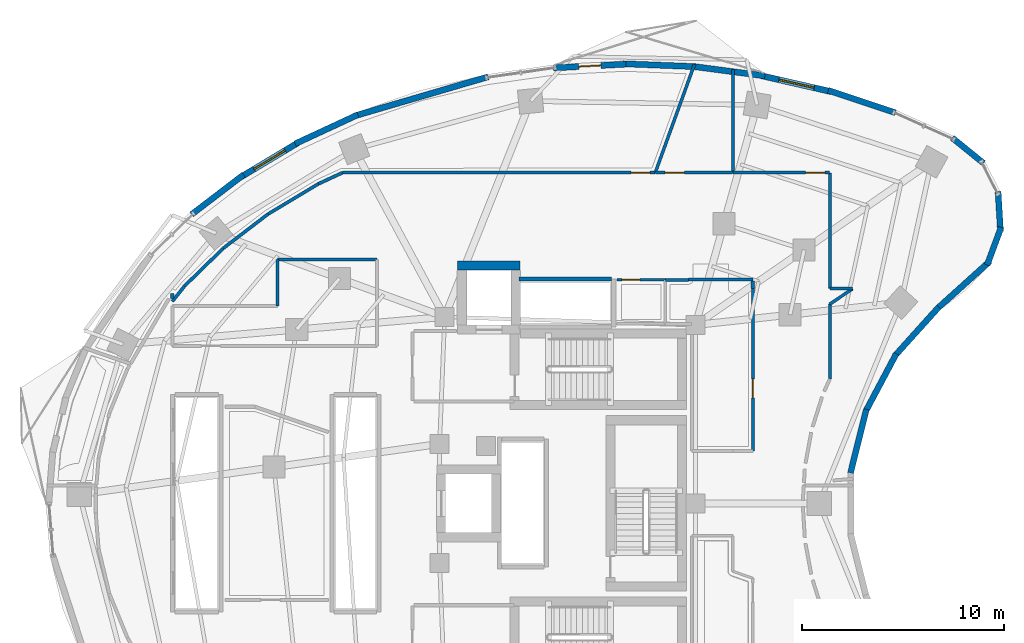
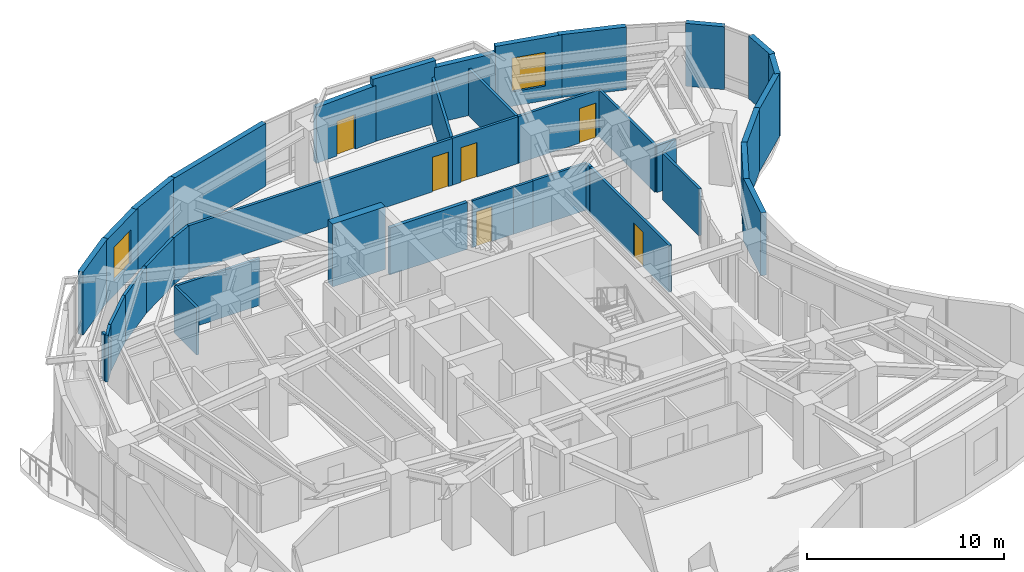
# One storey, part 11 of 15: 40 walls, 6 doors, 2 windows, 8 openings.
"""IFC4 building model written with IfcOpenShell, lengths in metres."""

from ifc_helpers import new_model, si_unit, direction, frame, frame_2d, origin, place, context, subcontext, project, spatial, rectangle, extrude, material, layer, layer_set, type_object, element, fill, save


model = new_model("IFC4")

# Units and contexts
model_context = context("Model", 3, precision=1e-05, world=origin(), true_north=direction((0.0, 1.0)))
body_context = subcontext(model_context, "Body", "Model", "MODEL_VIEW")
ifc_project = project(units=[si_unit("LENGTHUNIT", "METRE"), si_unit("AREAUNIT", "SQUARE_METRE"), si_unit("VOLUMEUNIT", "CUBIC_METRE"), si_unit("PLANEANGLEUNIT", "RADIAN"), si_unit("MASSUNIT", "GRAM", prefix="KILO")], contexts=[model_context])

# Site, building, storey
site_placement = place(None, origin())
site = spatial("IfcSite", under=ifc_project, at=site_placement, CompositionType="ELEMENT")
building_placement = place(site_placement, origin())
building = spatial("IfcBuilding", under=site, at=building_placement, Name="Korentha Bioscience Tower", CompositionType="ELEMENT")
storey_placement = place(building_placement, frame((0.0, 0.0, 127.800048828125)))
storey = spatial("IfcBuildingStorey", under=building, at=storey_placement, Name="L29", CompositionType="ELEMENT", Elevation=127.800048828125)

# Wall, opening, door
ifc_material_1 = material(Name="Double-Stud Acoustic Gypsum", Category="gypsum")
ifc_layer_1 = layer(ifc_material_1, 0.14990234375, Name="Double-Stud Acoustic Gypsum")
ifc_layer_set_1 = layer_set([ifc_layer_1], Name="Double-Stud Acoustic Gypsum (IW-L150)")
wall_type_1 = type_object("IfcWallType", Name="Acoustic Laboratory Partition Wall 150", PredefinedType="PARTITIONING", material=ifc_layer_set_1)
wall_1_placement = place(storey_placement, frame((44.199951171875, 43.409912109375, 0.0), z_axis=(0.0, 0.0, 1.0), x_axis=(-1.0, 0.0, 0.0)))
wall_1 = element("IfcWall", 1, at=wall_1_placement, inside=storey, type_object=wall_type_1, Name="L29 Patent and Regulatory Affairs Office 06 Entrance Wall", PredefinedType="PARTITIONING", context=body_context, shape_type="SweptSolid", body=[
    extrude(rectangle(XDim=4.7978515625, YDim=0.14990234375, at=frame_2d((2.39892578125, 0.0))), origin(), (0.0, 0.0, 1.0), 2.909912109375),
])
opening_1_placement = place(wall_1_placement, frame((0.239990234375, 0.0, 0.0)))
opening_1 = element("IfcOpeningElement", 2, at=opening_1_placement, cuts=wall_1, Name="Opening ID-10L", PredefinedType="OPENING", context=body_context, shape_type="SweptSolid", body=[
    extrude(rectangle(XDim=0.949951171875, YDim=2.14990234375, at=frame_2d((0.47509765625, 1.074951171875))), frame((0.0, 0.08984375, 0.0), z_axis=(0.0, -1.0, 0.0), x_axis=(1.0, 0.0, 0.0)), (0.0, 0.0, 1.0), 0.1796875),
])
ifc_material_2 = material(Name="Phenolic Laminate Timber Core", Category="wood")
door_type_1 = type_object("IfcDoorType", Name="Laboratory Single Leaf Door 950x2150 Left", OperationType="SINGLE_SWING_LEFT", PredefinedType="DOOR", material=ifc_material_2)
door_1_placement = place(opening_1_placement, origin())
door_1 = element("IfcDoor", 3, at=door_1_placement, inside=storey, type_object=door_type_1, Name="L29 Patent and Regulatory Affairs Office 06 Door", OperationType="SINGLE_SWING_LEFT", OverallHeight=2.14990234375, OverallWidth=0.949951171875, PredefinedType="DOOR", context=body_context, shape_type="SweptSolid", body=[
    extrude(rectangle(XDim=0.949951171875, YDim=2.14990234375, at=frame_2d((0.47509765625, 1.074951171875))), frame((0.0, 0.02490234375, 0.0), z_axis=(0.0, -1.0, 0.0), x_axis=(1.0, 0.0, 0.0)), (0.0, 0.0, 1.0), 0.050048828125),
])
fill(opening_1, door_1)

wall_2_placement = place(storey_placement, frame((40.389892578125, 37.64794921875, 0.0), z_axis=(0.0, 0.0, 1.0), x_axis=(0.0, -1.0, 0.0)))
wall_2 = element("IfcWall", 4, at=wall_2_placement, inside=storey, type_object=wall_type_1, Name="L29 Ethics and Biosafety Briefing Room 07 Entrance Wall", PredefinedType="PARTITIONING", context=body_context, shape_type="SweptSolid", body=[
    extrude(rectangle(XDim=8.0458984375, YDim=0.14990234375, at=frame_2d((4.02294921875, 0.0))), origin(), (0.0, 0.0, 1.0), 2.909912109375),
])
opening_2_placement = place(wall_2_placement, frame((4.466796875, 0.0, 0.0)))
opening_2 = element("IfcOpeningElement", 5, at=opening_2_placement, cuts=wall_2, Name="Opening ID-10R", PredefinedType="OPENING", context=body_context, shape_type="SweptSolid", body=[
    extrude(rectangle(XDim=0.949951171875, YDim=2.14990234375, at=frame_2d((0.47509765625, 1.074951171875))), frame((0.0, 0.08984375, 0.0), z_axis=(0.0, -1.0, 0.0), x_axis=(1.0, 0.0, 0.0)), (0.0, 0.0, 1.0), 0.1796875),
])
door_type_2 = type_object("IfcDoorType", Name="Laboratory Single Leaf Door 950x2150 Right", OperationType="SINGLE_SWING_RIGHT", PredefinedType="DOOR", material=ifc_material_2)
door_2_placement = place(opening_2_placement, origin())
door_2 = element("IfcDoor", 6, at=door_2_placement, inside=storey, type_object=door_type_2, Name="L29 Ethics and Biosafety Briefing Room 07 Door", OperationType="SINGLE_SWING_RIGHT", OverallHeight=2.14990234375, OverallWidth=0.949951171875, PredefinedType="DOOR", context=body_context, shape_type="SweptSolid", body=[
    extrude(rectangle(XDim=0.949951171875, YDim=2.14990234375, at=frame_2d((0.47509765625, 1.074951171875))), frame((0.0, 0.02490234375, 0.0), z_axis=(0.0, -1.0, 0.0), x_axis=(1.0, 0.0, 0.0)), (0.0, 0.0, 1.0), 0.050048828125),
])
fill(opening_2, door_2)

wall_3_placement = place(storey_placement, frame((39.39208984375, 43.409912109375, 0.0), z_axis=(0.0, 0.0, 1.0), x_axis=(-1.0, 0.0, 0.0)))
wall_3 = element("IfcWall", 7, at=wall_3_placement, inside=storey, type_object=wall_type_1, Name="L29 Terrace View Refreshment Lounge 08 Entrance Wall", PredefinedType="PARTITIONING", context=body_context, shape_type="SweptSolid", body=[
    extrude(rectangle(XDim=3.841796875, YDim=0.14990234375, at=frame_2d((1.9208984375, 0.0))), origin(), (0.0, 0.0, 1.0), 2.909912109375),
])
opening_3_placement = place(wall_3_placement, frame((2.402099609375, 0.0, 0.0)))
opening_3 = element("IfcOpeningElement", 8, at=opening_3_placement, cuts=wall_3, Name="Opening ID-10L", PredefinedType="OPENING", context=body_context, shape_type="SweptSolid", body=[
    extrude(rectangle(XDim=0.949951171875, YDim=2.14990234375, at=frame_2d((0.47509765625, 1.074951171875))), frame((0.0, 0.08984375, 0.0), z_axis=(0.0, -1.0, 0.0), x_axis=(1.0, 0.0, 0.0)), (0.0, 0.0, 1.0), 0.1796875),
])
door_3_placement = place(opening_3_placement, origin())
door_3 = element("IfcDoor", 9, at=door_3_placement, inside=storey, type_object=door_type_1, Name="L29 Terrace View Refreshment Lounge 08 Door", OperationType="SINGLE_SWING_LEFT", OverallHeight=2.14990234375, OverallWidth=0.949951171875, PredefinedType="DOOR", context=body_context, shape_type="SweptSolid", body=[
    extrude(rectangle(XDim=0.949951171875, YDim=2.14990234375, at=frame_2d((0.47509765625, 1.074951171875))), frame((0.0, 0.02490234375, 0.0), z_axis=(0.0, -1.0, 0.0), x_axis=(1.0, 0.0, 0.0)), (0.0, 0.0, 1.0), 0.050048828125),
])
fill(opening_3, door_3)

# Walls
wall_4_placement = place(storey_placement, frame((44.2099609375, 33.175048828125, 0.0), z_axis=(0.0, 0.0, 1.0), x_axis=(0.0, 1.0, 0.0)))
element("IfcWall", 10, at=wall_4_placement, inside=storey, type_object=wall_type_1, Name="L29 Interior Partition 063", PredefinedType="PARTITIONING", context=body_context, shape_type="SweptSolid", body=[
    extrude(rectangle(XDim=3.708984375, YDim=0.14990234375, at=frame_2d((1.8544921875, 0.0))), origin(), (0.0, 0.0, 1.0), 2.909912109375),
])
wall_5_placement = place(storey_placement, frame((44.2099609375, 36.884033203125, 0.0), z_axis=(0.0, 0.0, 1.0), x_axis=(0.828042645571, 0.560665120295, 0.0)))
element("IfcWall", 11, at=wall_5_placement, inside=storey, type_object=wall_type_1, Name="L29 Interior Partition 064", PredefinedType="PARTITIONING", context=body_context, shape_type="SweptSolid", body=[
    extrude(rectangle(XDim=1.35693359375, YDim=0.14990234375, at=frame_2d((0.678466796875, 0.0))), origin(), (0.0, 0.0, 1.0), 2.909912109375),
])
wall_6_placement = place(storey_placement, frame((45.331298828125, 37.652099609375, 0.0), z_axis=(0.0, 0.0, 1.0), x_axis=(-1.0, 0.0, 0.0)))
element("IfcWall", 12, at=wall_6_placement, inside=storey, type_object=wall_type_1, Name="L29 Interior Partition 065", PredefinedType="PARTITIONING", context=body_context, shape_type="SweptSolid", body=[
    extrude(rectangle(XDim=1.121337890625, YDim=0.14990234375, at=frame_2d((0.560546875, 0.0))), origin(), (0.0, 0.0, 1.0), 2.909912109375),
])
wall_7_placement = place(storey_placement, frame((44.2099609375, 37.652099609375, 0.0), z_axis=(0.0, 0.0, 1.0), x_axis=(0.0, 1.0, 0.0)))
element("IfcWall", 13, at=wall_7_placement, inside=storey, type_object=wall_type_1, Name="L29 Interior Partition 066", PredefinedType="PARTITIONING", context=body_context, shape_type="SweptSolid", body=[
    extrude(rectangle(XDim=5.747802734375, YDim=0.14990234375, at=frame_2d((2.8740234375, 0.0))), origin(), (0.0, 0.0, 1.0), 2.909912109375),
])
wall_8_placement = place(storey_placement, frame((39.402099609375, 43.409912109375, 0.0), z_axis=(0.0, 0.0, 1.0), x_axis=(0.0, 1.0, 0.0)))
element("IfcWall", 14, at=wall_8_placement, inside=storey, type_object=wall_type_1, Name="L29 Interior Partition 067", PredefinedType="PARTITIONING", context=body_context, shape_type="SweptSolid", body=[
    extrude(rectangle(XDim=5.12548828125, YDim=0.14990234375, at=frame_2d((2.562744140625, 0.0))), origin(), (0.0, 0.0, 1.0), 2.909912109375),
])
wall_9_placement = place(storey_placement, frame((36.06005859375, 38.090087890625, 0.0), z_axis=(0.0, 0.0, 1.0), x_axis=(1.0, 0.0, 0.0)))
element("IfcWall", 15, at=wall_9_placement, inside=storey, type_object=wall_type_1, Name="L29 Interior Partition 073", PredefinedType="PARTITIONING", context=body_context, shape_type="SweptSolid", body=[
    extrude(rectangle(XDim=1.139892578125, YDim=0.14990234375, at=frame_2d((0.56982421875, 0.0))), origin(), (0.0, 0.0, 1.0), 2.909912109375),
])
wall_10_placement = place(storey_placement, frame((37.2099609375, 38.10009765625, 0.0), z_axis=(0.0, 0.0, 1.0), x_axis=(1.0, 0.0, 0.0)))
element("IfcWall", 16, at=wall_10_placement, inside=storey, type_object=wall_type_1, Name="L29 Interior Partition 075", PredefinedType="PARTITIONING", context=body_context, shape_type="SweptSolid", body=[
    extrude(rectangle(XDim=3.176025390625, YDim=0.14990234375, at=frame_2d((1.587890625, 0.0))), origin(), (0.0, 0.0, 1.0), 2.909912109375),
])
wall_11_placement = place(storey_placement, frame((40.385986328125, 38.02197265625, 0.0), z_axis=(0.0, 0.0, 1.0), x_axis=(0.0, -1.0, 0.0)))
element("IfcWall", 17, at=wall_11_placement, inside=storey, type_object=wall_type_1, Name="L29 Interior Partition 076", PredefinedType="PARTITIONING", context=body_context, shape_type="SweptSolid", body=[
    extrude(rectangle(XDim=0.369873046875, YDim=0.14990234375, at=frame_2d((0.18505859375, 0.0))), origin(), (0.0, 0.0, 1.0), 2.909912109375),
])
wall_12_placement = place(storey_placement, frame((35.55029296875, 43.409912109375, 0.0), z_axis=(0.0, 0.0, 1.0), x_axis=(0.340351757169, 0.940298187487, 0.0)))
element("IfcWall", 18, at=wall_12_placement, inside=storey, type_object=wall_type_1, Name="L29 Interior Partition 077", PredefinedType="PARTITIONING", context=body_context, shape_type="SweptSolid", body=[
    extrude(rectangle(XDim=5.707763671875, YDim=0.14990234375, at=frame_2d((2.85400390625, 0.0))), origin(), (0.0, 0.0, 1.0), 2.909912109375),
])
wall_13_placement = place(storey_placement, frame((16.81005859375, 36.800048828125, 0.0), z_axis=(0.0, 0.0, 1.0), x_axis=(0.0, 1.0, 0.0)))
element("IfcWall", 19, at=wall_13_placement, inside=storey, type_object=wall_type_1, Name="L29 Interior Partition 086", PredefinedType="PARTITIONING", context=body_context, shape_type="SweptSolid", body=[
    extrude(rectangle(XDim=2.2900390625, YDim=0.14990234375, at=frame_2d((1.14501953125, 0.0))), origin(), (0.0, 0.0, 1.0), 2.909912109375),
])
wall_14_placement = place(storey_placement, frame((16.81005859375, 39.090087890625, 0.0), z_axis=(0.0, 0.0, 1.0), x_axis=(1.0, 0.0, 0.0)))
element("IfcWall", 20, at=wall_14_placement, inside=storey, type_object=wall_type_1, Name="L29 Interior Partition 087", PredefinedType="PARTITIONING", context=body_context, shape_type="SweptSolid", body=[
    extrude(rectangle(XDim=4.929931640625, YDim=0.14990234375, at=frame_2d((2.46484375, 0.0))), origin(), (0.0, 0.0, 1.0), 2.909912109375),
])

# Wall, opening, door
ifc_material_3 = material(Name="Gypsum-Clad Steel Stud", Category="steel")
ifc_layer_2 = layer(ifc_material_3, 0.159912109375, Name="Gypsum-Clad Steel Stud")
ifc_layer_set_2 = layer_set([ifc_layer_2], Name="Gypsum-Clad Steel Stud (IW-C160)")
wall_type_2 = type_object("IfcWallType", Name="Fire-Rated Corridor Partition Wall 160", PredefinedType="PARTITIONING", material=ifc_layer_set_2)
wall_15_placement = place(storey_placement, frame((35.540283203125, 43.409912109375, 0.0), z_axis=(0.0, 0.0, 1.0), x_axis=(-1.0, 0.0, 0.0)))
wall_15 = element("IfcWall", 21, at=wall_15_placement, inside=storey, type_object=wall_type_2, Name="L29 Instrument Calibration Workshop 09 Entrance Wall", PredefinedType="PARTITIONING", context=body_context, shape_type="SweptSolid", body=[
    extrude(rectangle(XDim=15.497802734375, YDim=0.159912109375, at=frame_2d((7.7490234375, 0.0))), origin(), (0.0, 0.0, 1.0), 2.909912109375),
])
opening_4_placement = place(wall_15_placement, frame((0.239990234375, 0.0, 0.0)))
opening_4 = element("IfcOpeningElement", 22, at=opening_4_placement, cuts=wall_15, Name="Opening ID-10R", PredefinedType="OPENING", context=body_context, shape_type="SweptSolid", body=[
    extrude(rectangle(XDim=0.949951171875, YDim=2.14990234375, at=frame_2d((0.47509765625, 1.074951171875))), frame((0.0, 0.0947265625, 0.0), z_axis=(0.0, -1.0, 0.0), x_axis=(1.0, 0.0, 0.0)), (0.0, 0.0, 1.0), 0.189697265625),
])
door_4_placement = place(opening_4_placement, origin())
door_4 = element("IfcDoor", 23, at=door_4_placement, inside=storey, type_object=door_type_2, Name="L29 Instrument Calibration Workshop 09 Door", OperationType="SINGLE_SWING_RIGHT", OverallHeight=2.14990234375, OverallWidth=0.949951171875, PredefinedType="DOOR", context=body_context, shape_type="SweptSolid", body=[
    extrude(rectangle(XDim=0.949951171875, YDim=2.14990234375, at=frame_2d((0.47509765625, 1.074951171875))), frame((0.0, 0.02490234375, 0.0), z_axis=(0.0, -1.0, 0.0), x_axis=(1.0, 0.0, 0.0)), (0.0, 0.0, 1.0), 0.050048828125),
])
fill(opening_4, door_4)

# Walls
wall_16_placement = place(storey_placement, frame((20.038330078125, 43.4091796875, 0.0), z_axis=(0.0, 0.0, 1.0), x_axis=(-0.907124862852, -0.420861596248, 0.0)))
element("IfcWall", 24, at=wall_16_placement, inside=storey, type_object=wall_type_2, Name="L29 Interior Partition 078", PredefinedType="PARTITIONING", context=body_context, shape_type="SweptSolid", body=[
    extrude(rectangle(XDim=1.321533203125, YDim=0.159912109375, at=frame_2d((0.66064453125, 0.0))), origin(), (0.0, 0.0, 1.0), 2.909912109375),
])
wall_17_placement = place(storey_placement, frame((18.838623046875, 42.8525390625, 0.0), z_axis=(0.0, 0.0, 1.0), x_axis=(-0.857603806023, -0.514310909757, 0.0)))
element("IfcWall", 25, at=wall_17_placement, inside=storey, type_object=wall_type_2, Name="L29 Interior Partition 079", PredefinedType="PARTITIONING", context=body_context, shape_type="SweptSolid", body=[
    extrude(rectangle(XDim=2.91357421875, YDim=0.159912109375, at=frame_2d((1.456787109375, 0.0))), origin(), (0.0, 0.0, 1.0), 2.909912109375),
])
wall_18_placement = place(storey_placement, frame((16.3388671875, 41.353515625, 0.0), z_axis=(0.0, 0.0, 1.0), x_axis=(-0.794513779695, -0.607246122981, 0.0)))
element("IfcWall", 26, at=wall_18_placement, inside=storey, type_object=wall_type_2, Name="L29 Interior Partition 080", PredefinedType="PARTITIONING", context=body_context, shape_type="SweptSolid", body=[
    extrude(rectangle(XDim=2.799072265625, YDim=0.159912109375, at=frame_2d((1.3994140625, 0.0))), origin(), (0.0, 0.0, 1.0), 2.909912109375),
])
wall_19_placement = place(storey_placement, frame((14.1142578125, 39.65283203125, 0.0), z_axis=(0.0, 0.0, 1.0), x_axis=(-0.716161838398, -0.697934252794, 0.0)))
element("IfcWall", 27, at=wall_19_placement, inside=storey, type_object=wall_type_2, Name="L29 Interior Partition 081", PredefinedType="PARTITIONING", context=body_context, shape_type="SweptSolid", body=[
    extrude(rectangle(XDim=2.6787109375, YDim=0.159912109375, at=frame_2d((1.33935546875, 0.0))), origin(), (0.0, 0.0, 1.0), 2.909912109375),
])
wall_20_placement = place(storey_placement, frame((12.195068359375, 37.781982421875, 0.0), z_axis=(0.0, 0.0, 1.0), x_axis=(-0.621081637991, -0.783745876513, 0.0)))
element("IfcWall", 28, at=wall_20_placement, inside=storey, type_object=wall_type_2, Name="L29 Interior Partition 082", PredefinedType="PARTITIONING", context=body_context, shape_type="SweptSolid", body=[
    extrude(rectangle(XDim=0.97412109375, YDim=0.159912109375, at=frame_2d((0.487060546875, 0.0))), origin(), (0.0, 0.0, 1.0), 2.909912109375),
])
wall_21_placement = place(storey_placement, frame((11.590087890625, 37.152099609375, 0.0), z_axis=(0.0, 0.0, 1.0), x_axis=(0.0, 1.0, 0.0)))
element("IfcWall", 29, at=wall_21_placement, inside=storey, type_object=wall_type_2, Name="L29 Interior Partition 083", PredefinedType="PARTITIONING", context=body_context, shape_type="SweptSolid", body=[
    extrude(rectangle(XDim=0.255859375, YDim=0.159912109375, at=frame_2d((0.1279296875, 0.0))), origin(), (0.0, 0.0, 1.0), 2.909912109375),
])

# Wall, opening, window
ifc_material_4 = material(Name="Honed Limestone Precast Concrete C40", Category="masonry")
ifc_layer_3 = layer(ifc_material_4, 0.300048828125, Name="Honed Limestone Precast Concrete C40")
ifc_layer_set_3 = layer_set([ifc_layer_3], Name="Honed Limestone Precast Concrete C40 (EW-ST300)")
wall_type_3 = type_object("IfcWallType", Name="Honed Limestone Cavity Spandrel Wall 300", PredefinedType="STANDARD", material=ifc_layer_set_3)
wall_22_placement = place(storey_placement, frame((44.277587890625, 47.42578125, 0.0), z_axis=(0.0, 0.0, 1.0), x_axis=(-0.974836214244, 0.222922307989, 0.0)))
wall_22 = element("IfcWall", 30, at=wall_22_placement, inside=storey, type_object=wall_type_3, Name="L29 Honed Limestone Spandrel Wall 03", PredefinedType="STANDARD", context=body_context, shape_type="SweptSolid", body=[
    extrude(rectangle(XDim=3.53515625, YDim=0.300048828125, at=frame_2d((1.767578125, 0.0))), origin(), (0.0, 0.0, 1.0), 3.89990234375),
])
opening_5_placement = place(wall_22_placement, frame((0.86767578125, 0.0, 0.89990234375)))
opening_5 = element("IfcOpeningElement", 31, at=opening_5_placement, cuts=wall_22, Name="Opening WN-01", PredefinedType="OPENING", context=body_context, shape_type="SweptSolid", body=[
    extrude(rectangle(XDim=1.800048828125, YDim=2.10009765625, at=frame_2d((0.89990234375, 1.050048828125))), frame((0.0, 0.1650390625, 0.0), z_axis=(0.0, -1.0, 0.0), x_axis=(1.0, 0.0, 0.0)), (0.0, 0.0, 1.0), 0.329833984375),
])
ifc_material_5 = material(Name="Thermally Broken Aluminium Triple Glazing", Category="aluminium")
window_type = type_object("IfcWindowType", Name="Triple-Glazed Fixed Bioscience Window 1800x2100", PartitioningType="SINGLE_PANEL", PredefinedType="WINDOW", material=ifc_material_5)
window_1_placement = place(opening_5_placement, origin())
window_1 = element("IfcWindow", 32, at=window_1_placement, inside=storey, type_object=window_type, Name="L29 Facade Window 03", OverallHeight=2.10009765625, OverallWidth=1.800048828125, PartitioningType="SINGLE_PANEL", PredefinedType="WINDOW", context=body_context, shape_type="SweptSolid", body=[
    extrude(rectangle(XDim=1.800048828125, YDim=2.10009765625, at=frame_2d((0.89990234375, 1.050048828125))), frame((0.0, 0.030029296875, 0.0), z_axis=(0.0, -1.0, 0.0), x_axis=(1.0, 0.0, 0.0)), (0.0, 0.0, 1.0), 0.06005859375),
])
fill(opening_5, window_1)

# Wall, opening, door
wall_23_placement = place(storey_placement, frame((34.095703125, 48.79052734375, 0.0), z_axis=(0.0, 0.0, 1.0), x_axis=(-0.998676861232, -0.051424963197, 0.0)))
wall_23 = element("IfcWall", 33, at=wall_23_placement, inside=storey, type_object=wall_type_3, Name="L29 Balcony Threshold Wall 01", PredefinedType="STANDARD", context=body_context, shape_type="SweptSolid", body=[
    extrude(rectangle(XDim=3.59375, YDim=0.300048828125, at=frame_2d((1.796875, 0.0))), origin(), (0.0, 0.0, 1.0), 3.469970703125),
])
opening_6_placement = place(wall_23_placement, frame((1.246826171875, 0.0, 0.0)))
opening_6 = element("IfcOpeningElement", 34, at=opening_6_placement, cuts=wall_23, Name="Opening BD-11L", PredefinedType="OPENING", context=body_context, shape_type="SweptSolid", body=[
    extrude(rectangle(XDim=1.10009765625, YDim=2.14990234375, at=frame_2d((0.550048828125, 1.074951171875))), frame((0.0, 0.1650390625, 0.0), z_axis=(0.0, -1.0, 0.0), x_axis=(1.0, 0.0, 0.0)), (0.0, 0.0, 1.0), 0.329833984375),
])
ifc_material_6 = material(Name="Thermally Broken Glazed Aluminium", Category="aluminium")
door_type_3 = type_object("IfcDoorType", Name="Balcony Terrace Glazed Door 1100x2150 Left", OperationType="SINGLE_SWING_LEFT", PredefinedType="DOOR", material=ifc_material_6)
door_5_placement = place(opening_6_placement, origin())
door_5 = element("IfcDoor", 35, at=door_5_placement, inside=storey, type_object=door_type_3, Name="L29 Balcony Access Door 01", OperationType="SINGLE_SWING_LEFT", OverallHeight=2.14990234375, OverallWidth=1.10009765625, PredefinedType="DOOR", context=body_context, shape_type="SweptSolid", body=[
    extrude(rectangle(XDim=1.10009765625, YDim=2.14990234375, at=frame_2d((0.550048828125, 1.074951171875))), frame((0.0, 0.02490234375, 0.0), z_axis=(0.0, -1.0, 0.0), x_axis=(1.0, 0.0, 0.0)), (0.0, 0.0, 1.0), 0.050048828125),
])
fill(opening_6, door_5)

# Wall, opening, window
wall_24_placement = place(storey_placement, frame((17.83349609375, 44.896728515625, 0.0), z_axis=(0.0, 0.0, 1.0), x_axis=(-0.85758429223, -0.514343447242, 0.0)))
wall_24 = element("IfcWall", 36, at=wall_24_placement, inside=storey, type_object=wall_type_3, Name="L29 Honed Limestone Spandrel Wall 11", PredefinedType="STANDARD", context=body_context, shape_type="SweptSolid", body=[
    extrude(rectangle(XDim=3.30029296875, YDim=0.300048828125, at=frame_2d((1.650146484375, 0.0))), origin(), (0.0, 0.0, 1.0), 3.89990234375),
])
opening_7_placement = place(wall_24_placement, frame((0.750244140625, 0.0, 0.89990234375)))
opening_7 = element("IfcOpeningElement", 37, at=opening_7_placement, cuts=wall_24, Name="Opening WN-01", PredefinedType="OPENING", context=body_context, shape_type="SweptSolid", body=[
    extrude(rectangle(XDim=1.800048828125, YDim=2.10009765625, at=frame_2d((0.89990234375, 1.050048828125))), frame((0.0, 0.1650390625, 0.0), z_axis=(0.0, -1.0, 0.0), x_axis=(1.0, 0.0, 0.0)), (0.0, 0.0, 1.0), 0.329833984375),
])
window_2_placement = place(opening_7_placement, origin())
window_2 = element("IfcWindow", 38, at=window_2_placement, inside=storey, type_object=window_type, Name="L29 Facade Window 11", OverallHeight=2.10009765625, OverallWidth=1.800048828125, PartitioningType="SINGLE_PANEL", PredefinedType="WINDOW", context=body_context, shape_type="SweptSolid", body=[
    extrude(rectangle(XDim=1.800048828125, YDim=2.10009765625, at=frame_2d((0.89990234375, 1.050048828125))), frame((0.0, 0.030029296875, 0.0), z_axis=(0.0, -1.0, 0.0), x_axis=(1.0, 0.0, 0.0)), (0.0, 0.0, 1.0), 0.06005859375),
])
fill(opening_7, window_2)

# Walls
wall_25_placement = place(storey_placement, frame((47.471435546875, 46.37841796875, 0.0), z_axis=(0.0, 0.0, 1.0), x_axis=(-0.948946814906, 0.315436114737, 0.0)))
element("IfcWall", 39, at=wall_25_placement, inside=storey, type_object=wall_type_3, Name="L29 Limestone Perimeter Closure Wall 02", PredefinedType="STANDARD", context=body_context, shape_type="SweptSolid", body=[
    extrude(rectangle(XDim=3.51611328125, YDim=0.300048828125, at=frame_2d((1.758056640625, 0.0))), origin(), (0.0, 0.0, 1.0), 3.89990234375),
])
wall_26_placement = place(storey_placement, frame((40.986572265625, 48.20703125, 0.0), z_axis=(0.0, 0.0, 1.0), x_axis=(-0.991372969521, 0.131071107816, 0.0)))
element("IfcWall", 40, at=wall_26_placement, inside=storey, type_object=wall_type_3, Name="L29 Limestone Perimeter Closure Wall 04", PredefinedType="STANDARD", context=body_context, shape_type="SweptSolid", body=[
    extrude(rectangle(XDim=3.615478515625, YDim=0.300048828125, at=frame_2d((1.8076171875, 0.0))), origin(), (0.0, 0.0, 1.0), 3.469970703125),
])
wall_27_placement = place(storey_placement, frame((37.574462890625, 48.666259765625, 0.0), z_axis=(0.0, 0.0, 1.0), x_axis=(-0.999212076676, 0.039689114679, 0.0)))
element("IfcWall", 41, at=wall_27_placement, inside=storey, type_object=wall_type_3, Name="L29 Limestone Perimeter Closure Wall 05", PredefinedType="STANDARD", context=body_context, shape_type="SweptSolid", body=[
    extrude(rectangle(XDim=3.635498046875, YDim=0.300048828125, at=frame_2d((1.81787109375, 0.0))), origin(), (0.0, 0.0, 1.0), 3.89990234375),
])
wall_28_placement = place(storey_placement, frame((27.258544921875, 48.163330078125, 0.0), z_axis=(0.0, 0.0, 1.0), x_axis=(-0.959706958999, -0.281002763064, 0.0)))
element("IfcWall", 42, at=wall_28_placement, inside=storey, type_object=wall_type_3, Name="L29 Limestone Perimeter Closure Wall 08", PredefinedType="STANDARD", context=body_context, shape_type="SweptSolid", body=[
    extrude(rectangle(XDim=6.907958984375, YDim=0.300048828125, at=frame_2d((3.4541015625, 0.0))), origin(), (0.0, 0.0, 1.0), 3.89990234375),
])
wall_29_placement = place(storey_placement, frame((20.7978515625, 46.28564453125, 0.0), z_axis=(0.0, 0.0, 1.0), x_axis=(-0.907166186263, -0.420772516333, 0.0)))
element("IfcWall", 43, at=wall_29_placement, inside=storey, type_object=wall_type_3, Name="L29 Limestone Perimeter Closure Wall 10", PredefinedType="STANDARD", context=body_context, shape_type="SweptSolid", body=[
    extrude(rectangle(XDim=3.43017578125, YDim=0.300048828125, at=frame_2d((1.715087890625, 0.0))), origin(), (0.0, 0.0, 1.0), 3.89990234375),
])
wall_30_placement = place(storey_placement, frame((15.120849609375, 43.3046875, 0.0), z_axis=(0.0, 0.0, 1.0), x_axis=(-0.794500987227, -0.607262860132, 0.0)))
element("IfcWall", 44, at=wall_30_placement, inside=storey, type_object=wall_type_3, Name="L29 Limestone Perimeter Closure Wall 12", PredefinedType="STANDARD", context=body_context, shape_type="SweptSolid", body=[
    extrude(rectangle(XDim=3.242919921875, YDim=0.300048828125, at=frame_2d((1.62158203125, 0.0))), origin(), (0.0, 0.0, 1.0), 3.89990234375),
])
wall_31_placement = place(storey_placement, frame((45.237548828125, 28.50390625, 0.0), z_axis=(0.0, 0.0, 1.0), x_axis=(0.241900409149, 0.970301083197, 0.0)))
element("IfcWall", 45, at=wall_31_placement, inside=storey, type_object=wall_type_3, Name="L29 Limestone Perimeter Closure Wall 51", PredefinedType="STANDARD", context=body_context, shape_type="SweptSolid", body=[
    extrude(rectangle(XDim=3.255859375, YDim=0.300048828125, at=frame_2d((1.6279296875, 0.0))), origin(), (0.0, 0.0, 1.0), 3.89990234375),
])
wall_32_placement = place(storey_placement, frame((45.98046875, 31.546630859375, 0.0), z_axis=(0.0, 0.0, 1.0), x_axis=(0.469451284634, 0.882958374645, 0.0)))
element("IfcWall", 46, at=wall_32_placement, inside=storey, type_object=wall_type_3, Name="L29 Limestone Perimeter Closure Wall 53", PredefinedType="STANDARD", context=body_context, shape_type="SweptSolid", body=[
    extrude(rectangle(XDim=3.255615234375, YDim=0.300048828125, at=frame_2d((1.6279296875, 0.0))), origin(), (0.0, 0.0, 1.0), 3.89990234375),
])
wall_33_placement = place(storey_placement, frame((47.437255859375, 34.319091796875, 0.0), z_axis=(0.0, 0.0, 1.0), x_axis=(0.669167727967, 0.743111399353, 0.0)))
element("IfcWall", 47, at=wall_33_placement, inside=storey, type_object=wall_type_3, Name="L29 Limestone Perimeter Closure Wall 55", PredefinedType="STANDARD", context=body_context, shape_type="SweptSolid", body=[
    extrude(rectangle(XDim=3.25537109375, YDim=0.300048828125, at=frame_2d((1.627685546875, 0.0))), origin(), (0.0, 0.0, 1.0), 3.89990234375),
])
wall_34_placement = place(storey_placement, frame((49.51318359375, 36.6357421875, 0.0), z_axis=(0.0, 0.0, 1.0), x_axis=(0.74255963233, 0.669779958221, 0.0)))
element("IfcWall", 48, at=wall_34_placement, inside=storey, type_object=wall_type_3, Name="L29 Limestone Perimeter Closure Wall 57", PredefinedType="STANDARD", context=body_context, shape_type="SweptSolid", body=[
    extrude(rectangle(XDim=3.5390625, YDim=0.300048828125, at=frame_2d((1.76953125, 0.0))), origin(), (0.0, 0.0, 1.0), 3.89990234375),
])
wall_35_placement = place(storey_placement, frame((52.016357421875, 38.822265625, 0.0), z_axis=(0.0, 0.0, 1.0), x_axis=(0.347370087337, 0.937728117539, 0.0)))
element("IfcWall", 49, at=wall_35_placement, inside=storey, type_object=wall_type_3, Name="L29 Limestone Perimeter Closure Wall 59", PredefinedType="STANDARD", context=body_context, shape_type="SweptSolid", body=[
    extrude(rectangle(XDim=1.997314453125, YDim=0.300048828125, at=frame_2d((0.99853515625, 0.0))), origin(), (0.0, 0.0, 1.0), 3.89990234375),
])
for number, where, z_axis, x_axis, name in (
    (50, (52.678955078125, 40.4833984375, 0.0), (0.0, 0.0, 1.0), (-0.060255200356, 0.998183004679, 0.0), "L29 Limestone Perimeter Closure Wall 60"),
    (51, (51.83642578125, 43.880615234375, 0.0), (0.0, 0.0, 1.0), (-0.777338789647, 0.629082193445, 0.0), "L29 Limestone Perimeter Closure Wall 62"),
):
    element("IfcWall", number, at=place(storey_placement, frame(where, z_axis=z_axis, x_axis=x_axis)), inside=storey, type_object=wall_type_3, Name=name, PredefinedType="STANDARD", context=body_context, shape_type="SweptSolid", body=[
        extrude(rectangle(XDim=1.99755859375, YDim=0.300048828125, at=frame_2d((0.998779296875, 0.0))), origin(), (0.0, 0.0, 1.0), 3.89990234375),
    ])
ifc_material_7 = material(Name="Autoclaved Aerated Concrete Block C25", Category="concrete")
ifc_layer_4 = layer(ifc_material_7, 0.199951171875, Name="Autoclaved Aerated Concrete Block C25")
ifc_layer_set_4 = layer_set([ifc_layer_4], Name="Autoclaved Aerated Concrete Block C25 (IW-S200)")
wall_type_4 = type_object("IfcWallType", Name="Lift and Riser Shaft Enclosure Wall 200", PredefinedType="PARTITIONING", material=ifc_layer_set_4)
wall_36_placement = place(storey_placement, frame((28.800048828125, 38.139892578125, 0.0), z_axis=(0.0, 0.0, 1.0), x_axis=(1.0, 0.0, 0.0)))
element("IfcWall", 52, at=wall_36_placement, inside=storey, type_object=wall_type_4, Name="L29 Lift Bank OBS Shaft Wall +Y", PredefinedType="PARTITIONING", context=body_context, shape_type="SweptSolid", body=[
    extrude(rectangle(XDim=4.570068359375, YDim=0.199951171875, at=frame_2d((2.28515625, 0.0))), origin(), (0.0, 0.0, 1.0), 2.909912109375),
])
ifc_material_8 = material(Name="Concrete C80", Category="concrete")
ifc_layer_5 = layer(ifc_material_8, 0.449951171875, Name="Concrete C80")
ifc_layer_set_5 = layer_set([ifc_layer_5], Name="Concrete C80 (CW-C80)")
wall_type_5 = type_object("IfcWallType", Name="Lower Core Shear Wall 450", PredefinedType="SHEAR", material=ifc_layer_set_5)
wall_37_placement = place(storey_placement, frame((25.75, 38.800048828125, 0.0), z_axis=(0.0, 0.0, 1.0), x_axis=(1.0, 0.0, 0.0)))
element("IfcWall", 53, at=wall_37_placement, inside=storey, type_object=wall_type_5, Name="L29 Core Shear Wall FFL2-N", PredefinedType="SHEAR", context=body_context, shape_type="SweptSolid", body=[
    extrude(rectangle(XDim=3.10009765625, YDim=0.449951171875, at=frame_2d((1.550048828125, 0.0))), origin(), (0.0, 0.0, 1.0), 3.89990234375),
])

# Wall, opening, door
ifc_material_9 = material(Name="Cement-Board Steel Stud", Category="steel")
ifc_layer_6 = layer(ifc_material_9, 0.1298828125, Name="Cement-Board Steel Stud")
ifc_layer_set_6 = layer_set([ifc_layer_6], Name="Cement-Board Steel Stud (IW-W130)")
wall_type_6 = type_object("IfcWallType", Name="Wet-Area Moisture-Resistant Partition 130", PredefinedType="PARTITIONING", material=ifc_layer_set_6)
wall_38_placement = place(storey_placement, frame((33.64990234375, 38.090087890625, 0.0), z_axis=(0.0, 0.0, 1.0), x_axis=(1.0, 0.0, 0.0)))
wall_38 = element("IfcWall", 54, at=wall_38_placement, inside=storey, type_object=wall_type_6, Name="L29 Accessible Staff WC Entrance Wall", PredefinedType="PARTITIONING", context=body_context, shape_type="SweptSolid", body=[
    extrude(rectangle(XDim=2.400146484375, YDim=0.1298828125, at=frame_2d((1.2001953125, 0.0))), origin(), (0.0, 0.0, 1.0), 2.909912109375),
])
opening_8_placement = place(wall_38_placement, frame((0.239990234375, 0.0, 0.0)))
opening_8 = element("IfcOpeningElement", 55, at=opening_8_placement, cuts=wall_38, Name="Opening ID-09L", PredefinedType="OPENING", context=body_context, shape_type="SweptSolid", body=[
    extrude(rectangle(XDim=0.89990234375, YDim=2.14990234375, at=frame_2d((0.449951171875, 1.074951171875))), frame((0.0, 0.079833984375, 0.0), z_axis=(0.0, -1.0, 0.0), x_axis=(1.0, 0.0, 0.0)), (0.0, 0.0, 1.0), 0.15966796875),
])
ifc_material_10 = material(Name="Moisture-Resistant HPL Leaf", Category="wood")
door_type_4 = type_object("IfcDoorType", Name="Restroom & Accessible WC Door 900x2150 Left", OperationType="SINGLE_SWING_LEFT", PredefinedType="DOOR", material=ifc_material_10)
door_6_placement = place(opening_8_placement, origin())
door_6 = element("IfcDoor", 56, at=door_6_placement, inside=storey, type_object=door_type_4, Name="L29 Accessible Staff WC Door", OperationType="SINGLE_SWING_LEFT", OverallHeight=2.14990234375, OverallWidth=0.89990234375, PredefinedType="DOOR", context=body_context, shape_type="SweptSolid", body=[
    extrude(rectangle(XDim=0.89990234375, YDim=2.14990234375, at=frame_2d((0.449951171875, 1.074951171875))), frame((0.0, 0.02490234375, 0.0), z_axis=(0.0, -1.0, 0.0), x_axis=(1.0, 0.0, 0.0)), (0.0, 0.0, 1.0), 0.050048828125),
])
fill(opening_8, door_6)

save(model, "model.ifc")
